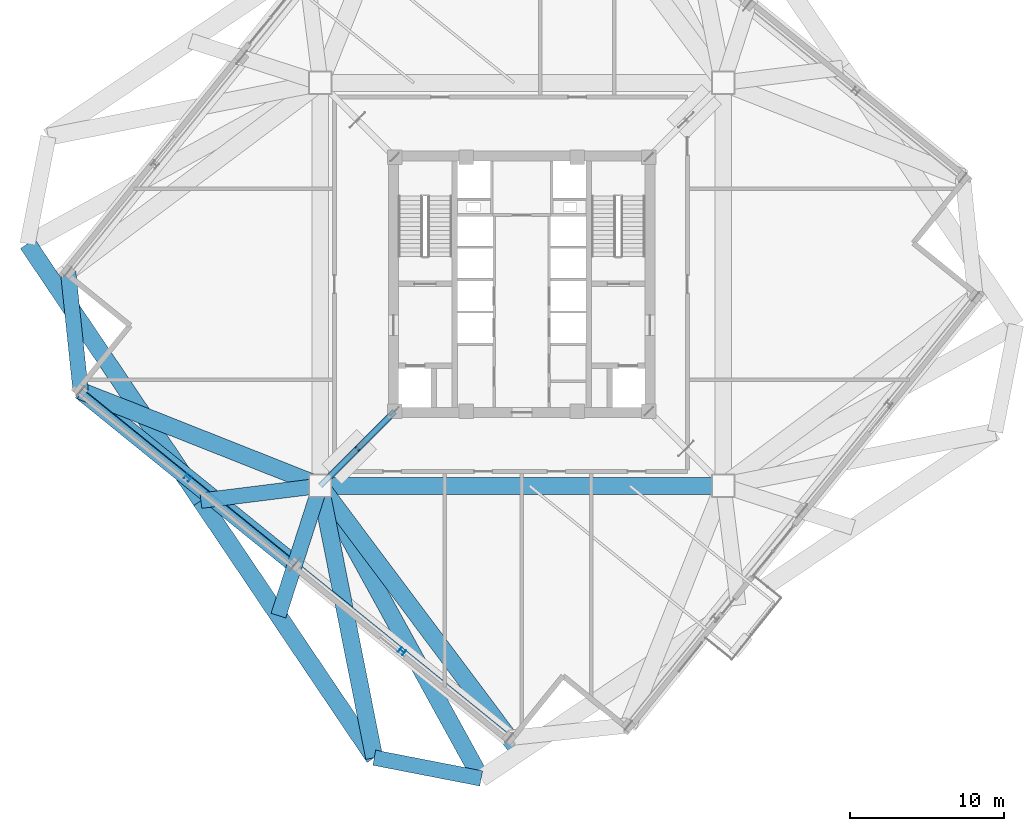
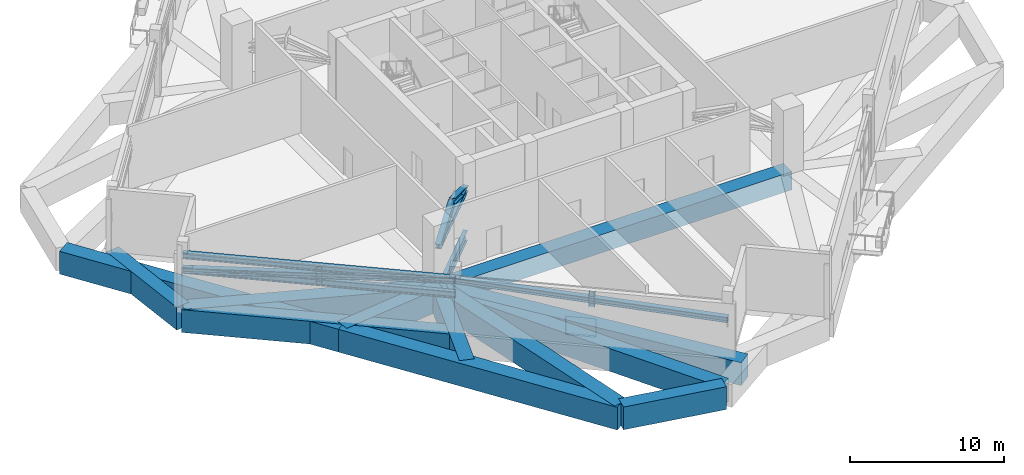
# One storey, part 2 of 22: 13 beams, 9 members.
"""IFC4 building model written with IfcOpenShell, lengths in metres."""

from ifc_helpers import new_model, si_unit, direction, frame, origin, origin_2d, place, context, subcontext, project, spatial, rectangle, i_section, extrude, source, transform, mapped, material, material_profile, profile_set, type_object, element, save


model = new_model("IFC4")

# Units and contexts
model_context = context("Model", 3, precision=1e-05, world=origin(), true_north=direction((0.0, 1.0)))
body_context = subcontext(model_context, "Body", "Model", "MODEL_VIEW")
ifc_project = project(units=[si_unit("LENGTHUNIT", "METRE"), si_unit("AREAUNIT", "SQUARE_METRE"), si_unit("VOLUMEUNIT", "CUBIC_METRE"), si_unit("PLANEANGLEUNIT", "RADIAN"), si_unit("MASSUNIT", "GRAM", prefix="KILO"), si_unit("THERMODYNAMICTEMPERATUREUNIT", "KELVIN")], contexts=[model_context])

# Site, building, storey
site_placement = place(None, origin())
site = spatial("IfcSite", under=ifc_project, at=site_placement, CompositionType="ELEMENT")
building_placement = place(site_placement, origin())
building = spatial("IfcBuilding", under=site, at=building_placement, Name="Kosmvard Interchange Tower", CompositionType="ELEMENT")
storey_placement = place(building_placement, frame((0.0, 0.0, 200.39990234375)))
storey = spatial("IfcBuildingStorey", under=building, at=storey_placement, Name="L48", CompositionType="ELEMENT", Elevation=200.39990234375)

# Beam
ifc_material_1 = material(Name="Concrete C70/85", Category="concrete")
ifc_material_profile_1 = material_profile(ifc_material_1, rectangle(XDim=1.10009765625, YDim=1.43994140625, at=origin_2d()), Name="TG 1100x1440")
ifc_profile_set_1 = profile_set([ifc_material_profile_1], Name="Concrete C70/85")
beam_type_1 = type_object("IfcBeamType", Name="Mega-Frame Transfer Ring Girder 1100x1440 C70/85", PredefinedType="USERDEFINED", material=ifc_profile_set_1)
shared_shape_1 = source(origin(), body_context, "Body", "SweptSolid", [
    extrude(rectangle(XDim=1.10009765625, YDim=1.43994140625, at=origin_2d()), origin(), (0.0, 0.0, 1.0), 26.162109375),
])
beam_1_placement = place(storey_placement, frame((-13.0810546875, -13.0810546875, -0.719970703125), z_axis=(1.0, 0.0, 0.0), x_axis=(0.0, 1.0, 0.0)))
element("IfcBeam", 1, at=beam_1_placement, inside=storey, type_object=beam_type_1, Name="L48 Mega-Column Ring Girder 1", ObjectType="TRANSFER_GIRDER", PredefinedType="USERDEFINED", context=body_context, shape_type="MappedRepresentation", body=[
    mapped(shared_shape_1, transform((0.0, 0.0, 0.0), scale=1.0)),
])

# Member
ifc_material_2 = material(Name="Steel S460", Category="steel")
ifc_material_profile_2 = material_profile(ifc_material_2, i_section(OverallWidth=0.40087890625, OverallDepth=0.39892578125, WebThickness=0.0185546875, FlangeThickness=0.028076171875, FilletRadius=0.014892578125, at=origin_2d()), Name="HD 400x314")
ifc_profile_set_2 = profile_set([ifc_material_profile_2], Name="Steel S460")
member_type_1 = type_object("IfcMemberType", Name="Outrigger Top and Bottom Chord HD 400x314 S460", PredefinedType="CHORD", material=ifc_profile_set_2)
shared_shape_2 = source(origin(), body_context, "Body", "SweptSolid", [
    extrude(i_section(OverallWidth=0.40087890625, OverallDepth=0.39892578125, WebThickness=0.0185546875, FlangeThickness=0.028076171875, FilletRadius=0.014892578125, at=origin_2d()), origin(), (0.0, 0.0, 1.0), 6.83203125),
])
member_placement = place(storey_placement, frame((-8.25, -8.25, 2.920166015625), z_axis=(-0.707106781187, -0.707106781187, 0.0), x_axis=(0.707106781187, -0.707106781187, 0.0)))
element("IfcMember", 2, at=member_placement, inside=storey, type_object=member_type_1, Name="L48 Outrigger Bottom Chord 1", PredefinedType="CHORD", context=body_context, shape_type="MappedRepresentation", body=[
    mapped(shared_shape_2, transform((0.0, 0.0, 0.0), scale=1.0)),
])

# Beams
ifc_material_3 = material(Name="Concrete C60/75", Category="concrete")
ifc_material_profile_3 = material_profile(ifc_material_3, rectangle(XDim=1.1201171875, YDim=1.800048828125, at=origin_2d()), Name="TG 1120x1800")
ifc_profile_set_3 = profile_set([ifc_material_profile_3], Name="Concrete C60/75")
beam_type_2 = type_object("IfcBeamType", Name="Zone Long-Span Transfer Girder 1120x1800 C60/75", PredefinedType="USERDEFINED", material=ifc_profile_set_3)
shared_shape_3 = source(origin(), body_context, "Body", "SweptSolid", [
    extrude(rectangle(XDim=1.1201171875, YDim=1.800048828125, at=origin_2d()), origin(), (0.0, 0.0, 1.0), 21.684326171875),
])
beam_2_placement = place(storey_placement, frame((-13.0810546875, -13.0810546875, -0.89990234375), z_axis=(0.48174456271, -0.876311689012, 0.0), x_axis=(0.876311689012, 0.48174456271, 0.0)))
element("IfcBeam", 3, at=beam_2_placement, inside=storey, type_object=beam_type_2, Name="BM-L48-LD01", ObjectType="TRANSFER_GIRDER", PredefinedType="USERDEFINED", context=body_context, shape_type="MappedRepresentation", body=[
    mapped(shared_shape_3, transform((0.0, 0.0, 0.0), scale=1.0)),
])
shared_shape_4 = source(origin(), body_context, "Body", "SweptSolid", [
    extrude(rectangle(XDim=1.1201171875, YDim=1.800048828125, at=origin_2d()), origin(), (0.0, 0.0, 1.0), 20.125),
])
for number, where, z_axis, x_axis, name in (
    (4, (-32.083251953125, 2.634765625, -0.89990234375), (0.559185299051, -0.82904270175, 0.0), (0.82904270175, 0.559185299051, 0.0), "BM-L48-LR10"),
    (5, (-20.82958984375, -14.0498046875, -0.89990234375), (0.559190922956, -0.829038908426, 0.0), (0.829038908426, 0.559190922956, 0.0), "BM-L48-LR11"),
):
    element("IfcBeam", number, at=place(storey_placement, frame(where, z_axis=z_axis, x_axis=x_axis)), inside=storey, type_object=beam_type_2, Name=name, ObjectType="TRANSFER_GIRDER", PredefinedType="USERDEFINED", context=body_context, shape_type="MappedRepresentation", body=[
        mapped(shared_shape_4, transform((0.0, 0.0, 0.0), scale=1.0)),
    ])
ifc_material_profile_4 = material_profile(ifc_material_3, rectangle(XDim=1.0, YDim=1.800048828125, at=origin_2d()), Name="TG 1000x1800")
ifc_profile_set_4 = profile_set([ifc_material_profile_4], Name="Concrete C60/75")
beam_type_3 = type_object("IfcBeamType", Name="Zone Transfer Ring Girder 1000x1800 C60/75", PredefinedType="USERDEFINED", material=ifc_profile_set_4)
shared_shape_5 = source(origin(), body_context, "Body", "SweptSolid", [
    extrude(rectangle(XDim=1.0, YDim=1.800048828125, at=origin_2d()), origin(), (0.0, 0.0, 1.0), 7.071044921875),
])
beam_3_placement = place(storey_placement, frame((-9.575927734375, -30.734130859375, -0.89990234375), z_axis=(0.981629941956, -0.190794803533, 0.0), x_axis=(0.190794803533, 0.981629941956, 0.0)))
element("IfcBeam", 6, at=beam_3_placement, inside=storey, type_object=beam_type_3, Name="BM-L48-LR12", ObjectType="TRANSFER_GIRDER", PredefinedType="USERDEFINED", context=body_context, shape_type="MappedRepresentation", body=[
    mapped(shared_shape_5, transform((0.0, 0.0, 0.0), scale=1.0)),
])
ifc_material_4 = material(Name="Steel S355", Category="steel")
ifc_material_profile_5 = material_profile(ifc_material_4, i_section(OverallWidth=0.300048828125, OverallDepth=0.800048828125, WebThickness=0.017578125, FlangeThickness=0.032958984375, FilletRadius=0.027099609375, at=origin_2d()), Name="HEB 800")
ifc_profile_set_5 = profile_set([ifc_material_profile_5], Name="Steel S355")
beam_type_4 = type_object("IfcBeamType", Name="Primary Mega-Frame Girder HEB 800 S355", PredefinedType="BEAM", material=ifc_profile_set_5)
shared_shape_6 = source(origin(), body_context, "Body", "SweptSolid", [
    extrude(i_section(OverallWidth=0.300048828125, OverallDepth=0.800048828125, WebThickness=0.017578125, FlangeThickness=0.032958984375, FilletRadius=0.027099609375, at=origin_2d()), origin(), (0.0, 0.0, 1.0), 6.83203125),
])
beam_4_placement = place(storey_placement, frame((-8.25, -8.25, -0.7998046875), z_axis=(-0.707106781187, -0.707106781187, 0.0), x_axis=(0.707106781187, -0.707106781187, 0.0)))
element("IfcBeam", 7, at=beam_4_placement, inside=storey, type_object=beam_type_4, Name="L48 Radial Mega-Frame Girder 1", PredefinedType="BEAM", context=body_context, shape_type="MappedRepresentation", body=[
    mapped(shared_shape_6, transform((0.0, 0.0, 0.0), scale=1.0)),
])
shared_shape_7 = source(origin(), body_context, "Body", "SweptSolid", [
    extrude(rectangle(XDim=1.0, YDim=1.800048828125, at=origin_2d()), origin(), (0.0, 0.0, 1.0), 7.808837890625),
])
beam_5_placement = place(storey_placement, frame((-13.0810546875, -13.0810546875, -0.89990234375), z_axis=(-0.992274990485, -0.12405782224, 0.0), x_axis=(0.12405782224, -0.992274990485, 0.0)))
element("IfcBeam", 8, at=beam_5_placement, inside=storey, type_object=beam_type_3, Name="BM-L48-LD11", ObjectType="TRANSFER_GIRDER", PredefinedType="USERDEFINED", context=body_context, shape_type="MappedRepresentation", body=[
    mapped(shared_shape_7, transform((0.0, 0.0, 0.0), scale=1.0)),
])
shared_shape_8 = source(origin(), body_context, "Body", "SweptSolid", [
    extrude(rectangle(XDim=1.1201171875, YDim=1.800048828125, at=origin_2d()), origin(), (0.0, 0.0, 1.0), 17.997802734375),
])
beam_6_placement = place(storey_placement, frame((-13.0810546875, -13.0810546875, -0.89990234375), z_axis=(0.194754218148, -0.980852075755, 0.0), x_axis=(0.980852075755, 0.194754218148, 0.0)))
element("IfcBeam", 9, at=beam_6_placement, inside=storey, type_object=beam_type_2, Name="BM-L48-LD12", ObjectType="TRANSFER_GIRDER", PredefinedType="USERDEFINED", context=body_context, shape_type="MappedRepresentation", body=[
    mapped(shared_shape_8, transform((0.0, 0.0, 0.0), scale=1.0)),
])
shared_shape_9 = source(origin(), body_context, "Body", "SweptSolid", [
    extrude(rectangle(XDim=1.1201171875, YDim=1.800048828125, at=origin_2d()), origin(), (0.0, 0.0, 1.0), 16.7314453125),
])
beam_7_placement = place(storey_placement, frame((-13.0810546875, -13.0810546875, -0.89990234375), z_axis=(-0.929743244223, 0.368208500474, 0.0), x_axis=(-0.368208500474, -0.929743244223, 0.0)))
element("IfcBeam", 10, at=beam_7_placement, inside=storey, type_object=beam_type_2, Name="BM-L48-RD10", ObjectType="TRANSFER_GIRDER", PredefinedType="USERDEFINED", context=body_context, shape_type="MappedRepresentation", body=[
    mapped(shared_shape_9, transform((0.0, 0.0, 0.0), scale=1.0)),
])
shared_shape_10 = source(origin(), body_context, "Body", "SweptSolid", [
    extrude(rectangle(XDim=1.1201171875, YDim=1.800048828125, at=origin_2d()), origin(), (0.0, 0.0, 1.0), 17.89990234375),
])
beam_8_placement = place(storey_placement, frame((-28.636962890625, -6.92041015625, -0.89990234375), z_axis=(0.777143856413, -0.629322990554, 0.0), x_axis=(0.629322990554, 0.777143856413, 0.0)))
element("IfcBeam", 11, at=beam_8_placement, inside=storey, type_object=beam_type_2, Name="BM-L48-PR10", ObjectType="TRANSFER_GIRDER", PredefinedType="USERDEFINED", context=body_context, shape_type="MappedRepresentation", body=[
    mapped(shared_shape_10, transform((0.0, 0.0, 0.0), scale=1.0)),
])
shared_shape_11 = source(origin(), body_context, "Body", "SweptSolid", [
    extrude(rectangle(XDim=1.0, YDim=1.800048828125, at=origin_2d()), origin(), (0.0, 0.0, 1.0), 8.855712890625),
])
beam_9_placement = place(storey_placement, frame((-13.0810546875, -13.0810546875, -0.89990234375), z_axis=(-0.306758703569, -0.951787317516, 0.0), x_axis=(0.951787317516, -0.306758703569, 0.0)))
element("IfcBeam", 12, at=beam_9_placement, inside=storey, type_object=beam_type_3, Name="BM-L48-RD11", ObjectType="TRANSFER_GIRDER", PredefinedType="USERDEFINED", context=body_context, shape_type="MappedRepresentation", body=[
    mapped(shared_shape_11, transform((0.0, 0.0, 0.0), scale=1.0)),
])
shared_shape_12 = source(origin(), body_context, "Body", "SweptSolid", [
    extrude(rectangle(XDim=1.1201171875, YDim=1.800048828125, at=origin_2d()), origin(), (0.0, 0.0, 1.0), 21.621826171875),
])
beam_10_placement = place(storey_placement, frame((-13.0810546875, -13.0810546875, -0.89990234375), z_axis=(0.599662108692, -0.800253307022, 0.0), x_axis=(0.800253307022, 0.599662108692, 0.0)))
element("IfcBeam", 13, at=beam_10_placement, inside=storey, type_object=beam_type_2, Name="BM-L48-RD12", ObjectType="TRANSFER_GIRDER", PredefinedType="USERDEFINED", context=body_context, shape_type="MappedRepresentation", body=[
    mapped(shared_shape_12, transform((0.0, 0.0, 0.0), scale=1.0)),
])
shared_shape_13 = source(origin(), body_context, "Body", "SweptSolid", [
    extrude(rectangle(XDim=1.0, YDim=1.800048828125, at=origin_2d()), origin(), (0.0, 0.0, 1.0), 7.7783203125),
])
beam_11_placement = place(storey_placement, frame((-29.449951171875, 0.815185546875, -0.89990234375), z_axis=(0.104521394525, -0.994522638298, 0.0), x_axis=(0.994522638298, 0.104521394525, 0.0)))
element("IfcBeam", 14, at=beam_11_placement, inside=storey, type_object=beam_type_3, Name="BM-L48-PR09", ObjectType="TRANSFER_GIRDER", PredefinedType="USERDEFINED", context=body_context, shape_type="MappedRepresentation", body=[
    mapped(shared_shape_13, transform((0.0, 0.0, 0.0), scale=1.0)),
])

# Members
ifc_material_profile_6 = material_profile(ifc_material_2, i_section(OverallWidth=0.408935546875, OverallDepth=0.425048828125, WebThickness=0.02392578125, FlangeThickness=0.0390625, FilletRadius=0.014892578125, at=origin_2d()), Name="HD 400x421")
ifc_profile_set_6 = profile_set([ifc_material_profile_6], Name="Steel S460")
member_type_2 = type_object("IfcMemberType", Name="Radial Outrigger Diagonal HD 400x421 S460", PredefinedType="BRACE", material=ifc_profile_set_6)
shared_shape_14 = source(origin(), body_context, "Body", "SweptSolid", [
    extrude(i_section(OverallWidth=0.408935546875, OverallDepth=0.425048828125, WebThickness=0.02392578125, FlangeThickness=0.0390625, FilletRadius=0.014892578125, at=origin_2d()), origin(), (0.0, 0.0, 1.0), 3.63427734375),
])
for number, where, z_axis, x_axis, name in (
    (15, (-8.25, -8.25, 2.920166015625), (-0.664672771684, -0.664672771684, 0.341204063815), (0.707106781187, -0.707106781187, 0.0), "L48 Outrigger Diagonal 1A"),
    (16, (-10.66552734375, -10.66552734375, 4.16015625), (-0.664672771684, -0.664672771684, -0.341204063815), (0.707106781187, -0.707106781187, 0.0), "L48 Outrigger Diagonal 1B"),
):
    element("IfcMember", number, at=place(storey_placement, frame(where, z_axis=z_axis, x_axis=x_axis)), inside=storey, type_object=member_type_2, Name=name, PredefinedType="BRACE", context=body_context, shape_type="MappedRepresentation", body=[
        mapped(shared_shape_14, transform((0.0, 0.0, 0.0), scale=1.0)),
    ])
ifc_material_profile_7 = material_profile(ifc_material_2, i_section(OverallWidth=0.300048828125, OverallDepth=0.5, WebThickness=0.014404296875, FlangeThickness=0.028076171875, FilletRadius=0.027099609375, at=origin_2d()), Name="HEB 500")
ifc_profile_set_7 = profile_set([ifc_material_profile_7], Name="Steel S460")
member_type_3 = type_object("IfcMemberType", Name="Belt Truss Chord HEB 500 S460", PredefinedType="CHORD", material=ifc_profile_set_7)
shared_shape_15 = source(origin(), body_context, "Body", "SweptSolid", [
    extrude(i_section(OverallWidth=0.300048828125, OverallDepth=0.5, WebThickness=0.014404296875, FlangeThickness=0.028076171875, FilletRadius=0.027099609375, at=origin_2d()), origin(), (0.0, 0.0, 1.0), 17.89990234375),
])
for number, where, z_axis, x_axis, name in (
    (17, (-28.636962890625, -6.92041015625, 2.820068359375), (0.777143856413, -0.629322990554, 0.0), (0.629322990554, 0.777143856413, 0.0), "L48 Belt Truss Bottom Chord W1"),
    (18, (-28.636962890625, -6.92041015625, 3.97998046875), (0.777143856413, -0.629322990554, 0.0), (0.629322990554, 0.777143856413, 0.0), "L48 Belt Truss Top Chord W1"),
):
    element("IfcMember", number, at=place(storey_placement, frame(where, z_axis=z_axis, x_axis=x_axis)), inside=storey, type_object=member_type_3, Name=name, PredefinedType="CHORD", context=body_context, shape_type="MappedRepresentation", body=[
        mapped(shared_shape_15, transform((0.0, 0.0, 0.0), scale=1.0)),
    ])
ifc_material_profile_8 = material_profile(ifc_material_2, i_section(OverallWidth=0.3759765625, OverallDepth=0.386962890625, WebThickness=0.01953125, FlangeThickness=0.031982421875, FilletRadius=0.014892578125, at=origin_2d()), Name="HD 360x329")
ifc_profile_set_8 = profile_set([ifc_material_profile_8], Name="Steel S460")
member_type_4 = type_object("IfcMemberType", Name="Belt Truss Vertical Post HD 360x329 S460", PredefinedType="STUD", material=ifc_profile_set_8)
shared_shape_16 = source(origin(), body_context, "Body", "SweptSolid", [
    extrude(i_section(OverallWidth=0.3759765625, OverallDepth=0.386962890625, WebThickness=0.01953125, FlangeThickness=0.031982421875, FilletRadius=0.014892578125, at=origin_2d()), origin(), (0.0, 0.0, 1.0), 1.159912109375),
])
for number, where, z_axis, x_axis, name in (
    (19, (-21.681640625, -12.552734375, 2.820068359375), (0.0, 0.0, 1.0), (0.62932039105, 0.777145961457, 0.0), "L48 Belt Truss Post W1"),
    (20, (-7.770751953125, -23.817626953125, 2.820068359375), (0.0, 0.0, 1.0), (0.62932039105, 0.777145961457, 0.0), "L48 Belt Truss Post W2"),
):
    element("IfcMember", number, at=place(storey_placement, frame(where, z_axis=z_axis, x_axis=x_axis)), inside=storey, type_object=member_type_4, Name=name, PredefinedType="STUD", context=body_context, shape_type="MappedRepresentation", body=[
        mapped(shared_shape_16, transform((0.0, 0.0, 0.0), scale=1.0)),
    ])
ifc_material_profile_9 = material_profile(ifc_material_2, i_section(OverallWidth=0.406005859375, OverallDepth=0.416015625, WebThickness=0.021484375, FlangeThickness=0.034912109375, FilletRadius=0.014892578125, at=origin_2d()), Name="HD 400x382")
ifc_profile_set_9 = profile_set([ifc_material_profile_9], Name="Steel S460")
member_type_5 = type_object("IfcMemberType", Name="Perimeter Belt Truss Diagonal HD 400x382 S460", PredefinedType="BRACE", material=ifc_profile_set_9)
shared_shape_17 = source(origin(), body_context, "Body", "SweptSolid", [
    extrude(i_section(OverallWidth=0.406005859375, OverallDepth=0.416015625, WebThickness=0.021484375, FlangeThickness=0.034912109375, FilletRadius=0.014892578125, at=origin_2d()), origin(), (0.0, 0.0, 1.0), 17.9375),
])
for number, where, z_axis, x_axis, name in (
    (21, (-28.636962890625, -6.92041015625, 2.820068359375), (0.775517373126, -0.628005881349, 0.064663876862), (0.629322990554, 0.777143856413, 0.0), "L48 Belt Truss Diagonal W1"),
    (22, (-0.815185546875, -29.449951171875, 2.820068359375), (-0.775524001894, 0.627997638558, 0.064664429579), (-0.629314753061, -0.777150526976, 0.0), "L48 Belt Truss Diagonal W2"),
):
    element("IfcMember", number, at=place(storey_placement, frame(where, z_axis=z_axis, x_axis=x_axis)), inside=storey, type_object=member_type_5, Name=name, PredefinedType="BRACE", context=body_context, shape_type="MappedRepresentation", body=[
        mapped(shared_shape_17, transform((0.0, 0.0, 0.0), scale=1.0)),
    ])

save(model, "model.ifc")
